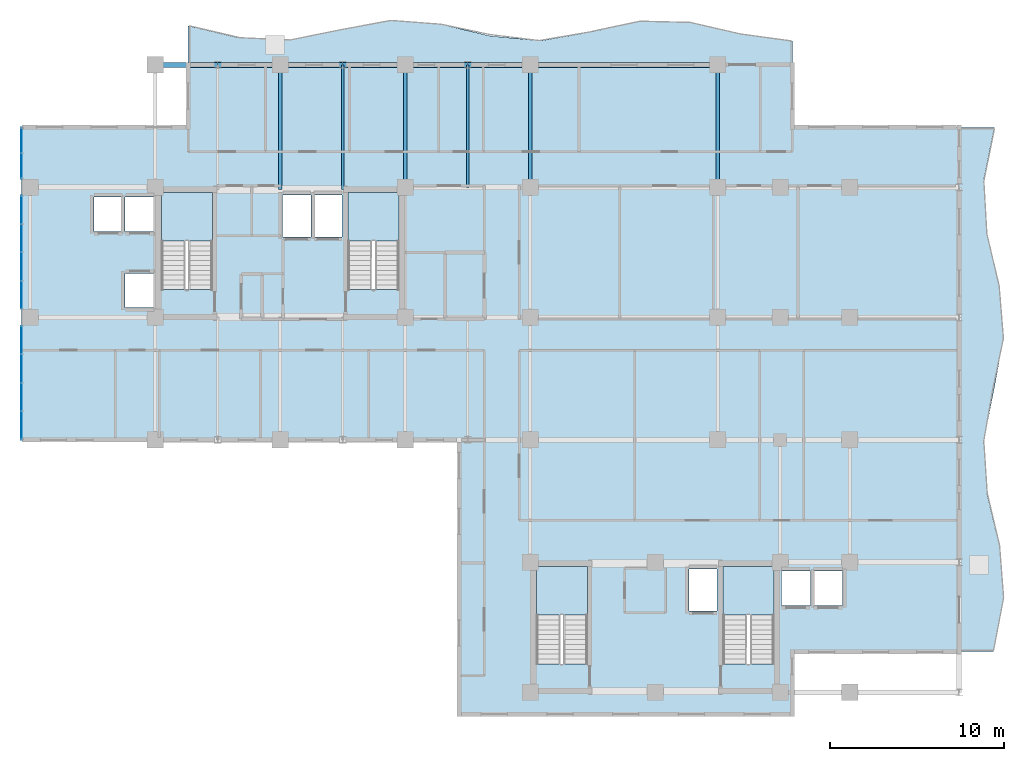
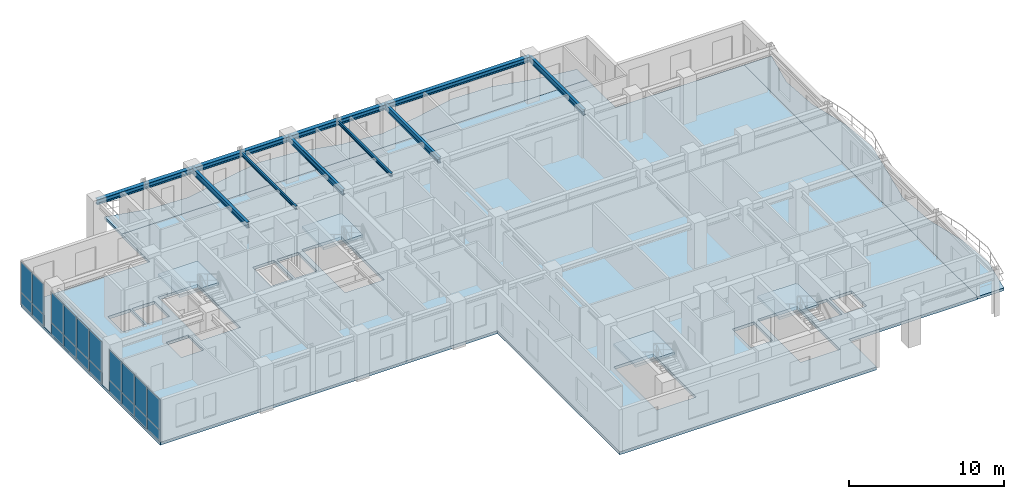
# One storey, part 11 of 20: 20 plates, 13 beams, 7 slabs, 7 elements without a shape of their own.
"""IFC4 building model written with IfcOpenShell, lengths in metres."""

from ifc_helpers import new_model, si_unit, direction, frame, origin, origin_2d, place, context, subcontext, project, spatial, polyline, rectangle, i_section, outline, extrude, source, transform, mapped, material, layer, layer_set, material_profile, profile_set, type_object, element, aggregate, save


model = new_model("IFC4")

# Units and contexts
model_context = context("Model", 3, precision=1e-05, world=origin(), true_north=direction((0.0, 1.0)))
body_context = subcontext(model_context, "Body", "Model", "MODEL_VIEW")
ifc_project = project(units=[si_unit("LENGTHUNIT", "METRE"), si_unit("AREAUNIT", "SQUARE_METRE"), si_unit("VOLUMEUNIT", "CUBIC_METRE"), si_unit("PLANEANGLEUNIT", "RADIAN"), si_unit("MASSUNIT", "GRAM", prefix="KILO")], contexts=[model_context])

# Site, building, storey
site_placement = place(None, origin())
site = spatial("IfcSite", under=ifc_project, at=site_placement, CompositionType="ELEMENT")
building_placement = place(site_placement, origin())
building = spatial("IfcBuilding", under=site, at=building_placement, Name="Kaliganga Portal Commons", CompositionType="ELEMENT")
storey_placement = place(building_placement, frame((0.0, 0.0, 231.39990234375)))
storey = spatial("IfcBuildingStorey", under=building, at=storey_placement, Name="L59", CompositionType="ELEMENT", Elevation=231.39990234375)

# Beams
ifc_material_1 = material(Name="Structural steel S355J2", Category="steel")
ifc_material_profile_1 = material_profile(ifc_material_1, i_section(OverallWidth=0.18994140625, OverallDepth=0.449951171875, WebThickness=0.009521484375, FlangeThickness=0.0146484375, FilletRadius=0.02099609375, at=origin_2d()), Name="IPE 450")
ifc_profile_set_1 = profile_set([ifc_material_profile_1], Name="Structural steel S355J2 wide-flange")
beam_type_1 = type_object("IfcBeamType", Name="BM-FLR-450", PredefinedType="BEAM", material=ifc_profile_set_1)
shared_shape_1 = source(origin(), body_context, "Body", "SweptSolid", [
    extrude(i_section(OverallWidth=0.18994140625, OverallDepth=0.449951171875, WebThickness=0.009521484375, FlangeThickness=0.0146484375, FilletRadius=0.02099609375, at=origin_2d()), origin(), (0.0, 0.0, 1.0), 7.050048828125),
])
for number, where, z_axis, x_axis, name in (
    (1, (28.800048828125, 36.14990234375, 3.215087890625), (0.0, 1.0, 0.0), (-1.0, 0.0, 0.0), "BM G L59 AN288"),
    (2, (36.0, 36.14990234375, 3.215087890625), (0.0, 1.0, 0.0), (-1.0, 0.0, 0.0), "BM G L59 AN360"),
    (3, (46.800048828125, 36.14990234375, 3.215087890625), (0.0, 1.0, 0.0), (-1.0, 0.0, 0.0), "BM G L59 AN468"),
):
    element("IfcBeam", number, at=place(storey_placement, frame(where, z_axis=z_axis, x_axis=x_axis)), inside=storey, type_object=beam_type_1, Name=name, PredefinedType="BEAM", context=body_context, shape_type="MappedRepresentation", body=[
        mapped(shared_shape_1, transform((0.0, 0.0, 0.0), x_axis=(1.0, 0.0, 0.0), y_axis=(0.0, 1.0, 0.0), z_axis=(0.0, 0.0, 1.0), scale=1.0)),
    ])
ifc_material_profile_2 = material_profile(ifc_material_1, i_section(OverallWidth=0.300048828125, OverallDepth=0.39990234375, WebThickness=0.013427734375, FlangeThickness=0.02392578125, FilletRadius=0.027099609375, at=origin_2d()), Name="HE 400 B")
ifc_profile_set_2 = profile_set([ifc_material_profile_2], Name="Structural steel S355J2 wide-flange")
beam_type_2 = type_object("IfcBeamType", Name="BM-SPAND-400", PredefinedType="SPANDREL", material=ifc_profile_set_2)
shared_shape_2 = source(origin(), body_context, "Body", "SweptSolid", [
    extrude(i_section(OverallWidth=0.300048828125, OverallDepth=0.39990234375, WebThickness=0.013427734375, FlangeThickness=0.02392578125, FilletRadius=0.027099609375, at=origin_2d()), origin(), (0.0, 0.0, 1.0), 3.60009765625),
])
for number, where, z_axis, x_axis, name in (
    (4, (14.39990234375, 43.199951171875, 3.239990234375), (1.0, 0.0, 0.0), (0.0, 1.0, 0.0), "BM SP L59 AN 1"),
    (5, (18.0, 43.199951171875, 3.239990234375), (1.0, 0.0, 0.0), (0.0, 1.0, 0.0), "BM SP L59 AN 2"),
    (6, (25.199951171875, 43.199951171875, 3.239990234375), (1.0, 0.0, 0.0), (0.0, 1.0, 0.0), "BM SP L59 AN 4"),
    (7, (32.39990234375, 43.199951171875, 3.239990234375), (1.0, 0.0, 0.0), (0.0, 1.0, 0.0), "BM SP L59 AN 6"),
):
    element("IfcBeam", number, at=place(storey_placement, frame(where, z_axis=z_axis, x_axis=x_axis)), inside=storey, type_object=beam_type_2, Name=name, PredefinedType="SPANDREL", context=body_context, shape_type="MappedRepresentation", body=[
        mapped(shared_shape_2, transform((0.0, 0.0, 0.0), x_axis=(1.0, 0.0, 0.0), y_axis=(0.0, 1.0, 0.0), z_axis=(0.0, 0.0, 1.0), scale=1.0)),
    ])
shared_shape_3 = source(origin(), body_context, "Body", "SweptSolid", [
    extrude(i_section(OverallWidth=0.300048828125, OverallDepth=0.39990234375, WebThickness=0.013427734375, FlangeThickness=0.02392578125, FilletRadius=0.027099609375, at=origin_2d()), origin(), (0.0, 0.0, 1.0), 3.599853515625),
])
for number, where, z_axis, x_axis, name in (
    (8, (21.60009765625, 43.199951171875, 3.239990234375), (1.0, 0.0, 0.0), (0.0, 1.0, 0.0), "BM SP L59 AN 3"),
    (9, (28.800048828125, 43.199951171875, 3.239990234375), (1.0, 0.0, 0.0), (0.0, 1.0, 0.0), "BM SP L59 AN 5"),
):
    element("IfcBeam", number, at=place(storey_placement, frame(where, z_axis=z_axis, x_axis=x_axis)), inside=storey, type_object=beam_type_2, Name=name, PredefinedType="SPANDREL", context=body_context, shape_type="MappedRepresentation", body=[
        mapped(shared_shape_3, transform((0.0, 0.0, 0.0), x_axis=(1.0, 0.0, 0.0), y_axis=(0.0, 1.0, 0.0), z_axis=(0.0, 0.0, 1.0), scale=1.0)),
    ])
shared_shape_4 = source(origin(), body_context, "Body", "SweptSolid", [
    extrude(i_section(OverallWidth=0.300048828125, OverallDepth=0.39990234375, WebThickness=0.013427734375, FlangeThickness=0.02392578125, FilletRadius=0.027099609375, at=origin_2d()), origin(), (0.0, 0.0, 1.0), 10.800048828125),
])
beam_1_placement = place(storey_placement, frame((36.0, 43.199951171875, 3.239990234375), z_axis=(1.0, 0.0, 0.0), x_axis=(0.0, 1.0, 0.0)))
element("IfcBeam", 10, at=beam_1_placement, inside=storey, type_object=beam_type_2, Name="BM SP L59 AN 7", PredefinedType="SPANDREL", context=body_context, shape_type="MappedRepresentation", body=[
    mapped(shared_shape_4, transform((0.0, 0.0, 0.0), x_axis=(1.0, 0.0, 0.0), y_axis=(0.0, 1.0, 0.0), z_axis=(0.0, 0.0, 1.0), scale=1.0)),
])
shared_shape_5 = source(origin(), body_context, "Body", "SweptSolid", [
    extrude(i_section(OverallWidth=0.18994140625, OverallDepth=0.449951171875, WebThickness=0.009521484375, FlangeThickness=0.0146484375, FilletRadius=0.02099609375, at=origin_2d()), origin(), (0.0, 0.0, 1.0), 7.175048828125),
])
beam_2_placement = place(storey_placement, frame((21.60009765625, 36.02490234375, 3.215087890625), z_axis=(0.0, 1.0, 0.0), x_axis=(-1.0, 0.0, 0.0)))
element("IfcBeam", 11, at=beam_2_placement, inside=storey, type_object=beam_type_1, Name="BM G L59 AN216", PredefinedType="BEAM", context=body_context, shape_type="MappedRepresentation", body=[
    mapped(shared_shape_5, transform((0.0, 0.0, 0.0), x_axis=(1.0, 0.0, 0.0), y_axis=(0.0, 1.0, 0.0), z_axis=(0.0, 0.0, 1.0), scale=1.0)),
])
ifc_material_profile_3 = material_profile(ifc_material_1, i_section(OverallWidth=0.135009765625, OverallDepth=0.27001953125, WebThickness=0.006591796875, FlangeThickness=0.01025390625, FilletRadius=0.014892578125, at=origin_2d()), Name="IPE 270")
ifc_profile_set_3 = profile_set([ifc_material_profile_3], Name="Structural steel S355J2 wide-flange")
beam_type_3 = type_object("IfcBeamType", Name="BM-JST-270", PredefinedType="JOIST", material=ifc_profile_set_3)
shared_shape_6 = source(origin(), body_context, "Body", "SweptSolid", [
    extrude(i_section(OverallWidth=0.135009765625, OverallDepth=0.27001953125, WebThickness=0.006591796875, FlangeThickness=0.01025390625, FilletRadius=0.014892578125, at=origin_2d()), origin(), (0.0, 0.0, 1.0), 7.175048828125),
])
beam_3_placement = place(storey_placement, frame((25.199951171875, 36.02490234375, 3.30517578125), z_axis=(0.0, 1.0, 0.0), x_axis=(-1.0, 0.0, 0.0)))
element("IfcBeam", 12, at=beam_3_placement, inside=storey, type_object=beam_type_3, Name="BM G L59 AN252", PredefinedType="JOIST", context=body_context, shape_type="MappedRepresentation", body=[
    mapped(shared_shape_6, transform((0.0, 0.0, 0.0), x_axis=(1.0, 0.0, 0.0), y_axis=(0.0, 1.0, 0.0), z_axis=(0.0, 0.0, 1.0), scale=1.0)),
])
shared_shape_7 = source(origin(), body_context, "Body", "SweptSolid", [
    extrude(i_section(OverallWidth=0.135009765625, OverallDepth=0.27001953125, WebThickness=0.006591796875, FlangeThickness=0.01025390625, FilletRadius=0.014892578125, at=origin_2d()), origin(), (0.0, 0.0, 1.0), 7.050048828125),
])
beam_4_placement = place(storey_placement, frame((32.39990234375, 36.14990234375, 3.30517578125), z_axis=(0.0, 1.0, 0.0), x_axis=(-1.0, 0.0, 0.0)))
element("IfcBeam", 13, at=beam_4_placement, inside=storey, type_object=beam_type_3, Name="BM G L59 AN324", PredefinedType="JOIST", context=body_context, shape_type="MappedRepresentation", body=[
    mapped(shared_shape_7, transform((0.0, 0.0, 0.0), x_axis=(1.0, 0.0, 0.0), y_axis=(0.0, 1.0, 0.0), z_axis=(0.0, 0.0, 1.0), scale=1.0)),
])

# Slabs
ifc_material_2 = material(Name="Concrete C40/50", Category="concrete")
ifc_layer_1 = layer(ifc_material_2, 0.2099609375)
ifc_layer_set_1 = layer_set([ifc_layer_1], Name="Concrete C40/50")
slab_type_1 = type_object("IfcSlabType", Name="SLB-BALC-210", PredefinedType="FLOOR", material=ifc_layer_set_1)
slab_1_placement = place(storey_placement, frame((0.0, 0.0, -0.2099609375)))
element("IfcSlab", 14, at=slab_1_placement, inside=storey, type_object=slab_type_1, Name="Scalloped Tree-Planter Balcony Slab L59 balc_north", PredefinedType="FLOOR", context=body_context, shape_type="SweptSolid", body=[
    extrude(outline(polyline([(51.10009765625, 43.199951171875), (51.10009765625, 44.58203125), (48.199951171875, 44.978759765625), (45.300048828125, 45.652099609375), (42.39990234375, 45.724609375), (39.5, 45.10205078125), (36.60009765625, 44.59521484375), (33.699951171875, 44.86474609375), (30.800048828125, 45.55908203125), (27.89990234375, 45.77392578125), (25.0, 45.229248046875), (22.10009765625, 44.634765625), (19.199951171875, 44.764892578125), (16.300048828125, 45.4501953125), (16.300048828125, 43.199951171875), (51.10009765625, 43.199951171875)])), origin(), (0.0, 0.0, 1.0), 0.2099609375),
])
slab_2_placement = place(storey_placement, frame((0.0, 0.0, -0.2099609375)))
element("IfcSlab", 15, at=slab_2_placement, inside=storey, type_object=slab_type_1, Name="Scalloped Tree-Planter Balcony Slab L59 balc_east", PredefinedType="FLOOR", context=body_context, shape_type="SweptSolid", body=[
    extrude(outline(polyline([(60.699951171875, 9.39990234375), (62.69091796875, 9.39990234375), (63.271728515625, 12.419921875), (63.040771484375, 15.43994140625), (62.32080078125, 18.4599609375), (62.118408203125, 21.47998046875), (62.716552734375, 24.5), (63.27880859375, 27.52001953125), (63.01953125, 30.5400390625), (62.30078125, 33.56005859375), (62.127685546875, 36.580078125), (62.741943359375, 39.60009765625), (60.699951171875, 39.60009765625), (60.699951171875, 9.39990234375)])), origin(), (0.0, 0.0, 1.0), 0.2099609375),
])

# Stair, slab
stair_type = type_object("IfcStairType", Name="ST-CORE-DOGLEG", PredefinedType="HALF_TURN_STAIR", material=ifc_material_2)
stair_1_placement = place(storey_placement, origin())
stair_1 = element("IfcStair", 16, at=stair_1_placement, inside=storey, type_object=stair_type, Name="L59 Protected Exit Stair ST-A1", PredefinedType="HALF_TURN_STAIR")
ifc_layer_2 = layer(ifc_material_2, 0.199951171875)
ifc_layer_set_2 = layer_set([ifc_layer_2], Name="Concrete C40/50")
slab_type_2 = type_object("IfcSlabType", Name="SLB-STAIR-LND", PredefinedType="LANDING", material=ifc_layer_set_2)
slab_3_placement = place(storey_placement, frame((0.0, 0.0, 1.650146484375)))
slab_3 = element("IfcSlab", 17, at=slab_3_placement, type_object=slab_type_2, Name="ST-A1 landing 1", PredefinedType="LANDING", context=body_context, shape_type="SweptSolid", body=[
    extrude(outline(polyline([(17.699951171875, 33.050048828125), (17.699951171875, 35.85009765625), (14.75, 35.85009765625), (14.75, 33.050048828125), (17.699951171875, 33.050048828125)])), origin(), (0.0, 0.0, 1.0), 0.199951171875),
])
aggregate(stair_1, [slab_3])

stair_2_placement = place(storey_placement, origin())
stair_2 = element("IfcStair", 18, at=stair_2_placement, inside=storey, type_object=stair_type, Name="L59 Protected Exit Stair ST-A2", PredefinedType="HALF_TURN_STAIR")
slab_4_placement = place(storey_placement, frame((0.0, 0.0, 1.650146484375)))
slab_4 = element("IfcSlab", 19, at=slab_4_placement, type_object=slab_type_2, Name="ST-A2 landing 1", PredefinedType="LANDING", context=body_context, shape_type="SweptSolid", body=[
    extrude(outline(polyline([(28.449951171875, 33.050048828125), (28.449951171875, 35.85009765625), (25.5, 35.85009765625), (25.5, 33.050048828125), (28.449951171875, 33.050048828125)])), origin(), (0.0, 0.0, 1.0), 0.199951171875),
])
aggregate(stair_2, [slab_4])

stair_3_placement = place(storey_placement, origin())
stair_3 = element("IfcStair", 20, at=stair_3_placement, inside=storey, type_object=stair_type, Name="L59 Protected Exit Stair ST-B1", PredefinedType="HALF_TURN_STAIR")
slab_5_placement = place(storey_placement, frame((0.0, 0.0, 1.650146484375)))
slab_5 = element("IfcSlab", 21, at=slab_5_placement, type_object=slab_type_2, Name="ST-B1 landing 1", PredefinedType="LANDING", context=body_context, shape_type="SweptSolid", body=[
    extrude(outline(polyline([(39.300048828125, 11.5), (39.300048828125, 14.300048828125), (36.35009765625, 14.300048828125), (36.35009765625, 11.5), (39.300048828125, 11.5)])), origin(), (0.0, 0.0, 1.0), 0.199951171875),
])
aggregate(stair_3, [slab_5])

stair_4_placement = place(storey_placement, origin())
stair_4 = element("IfcStair", 22, at=stair_4_placement, inside=storey, type_object=stair_type, Name="L59 Protected Exit Stair ST-B2", PredefinedType="HALF_TURN_STAIR")
slab_6_placement = place(storey_placement, frame((0.0, 0.0, 1.650146484375)))
slab_6 = element("IfcSlab", 23, at=slab_6_placement, type_object=slab_type_2, Name="ST-B2 landing 1", PredefinedType="LANDING", context=body_context, shape_type="SweptSolid", body=[
    extrude(outline(polyline([(50.050048828125, 11.5), (50.050048828125, 14.300048828125), (47.10009765625, 14.300048828125), (47.10009765625, 11.5), (50.050048828125, 11.5)])), origin(), (0.0, 0.0, 1.0), 0.199951171875),
])
aggregate(stair_4, [slab_6])

# Slab
ifc_layer_3 = layer(ifc_material_2, 0.22998046875)
ifc_layer_set_3 = layer_set([ifc_layer_3], Name="Concrete C40/50")
slab_type_3 = type_object("IfcSlabType", Name="SLB-TWR-230", PredefinedType="FLOOR", material=ifc_layer_set_3)
slab_7_placement = place(storey_placement, frame((0.0, 0.0, -0.22998046875)))
element("IfcSlab", 24, at=slab_7_placement, inside=storey, type_object=slab_type_3, Name="Structural Floor Slab L59", PredefinedType="FLOOR", context=body_context, shape_type="SweptSolid", body=[
    extrude(outline(polyline([(31.89990234375, 5.800048828125), (51.10009765625, 5.800048828125), (51.10009765625, 9.39990234375), (60.699951171875, 9.39990234375), (60.699951171875, 39.60009765625), (51.10009765625, 39.60009765625), (51.10009765625, 43.199951171875), (16.300048828125, 43.199951171875), (16.300048828125, 39.60009765625), (6.699951171875, 39.60009765625), (6.699951171875, 21.60009765625), (31.89990234375, 21.60009765625), (31.89990234375, 5.800048828125)]), holes=[polyline([(14.75, 30.25390625), (14.75, 35.85009765625), (17.699951171875, 35.85009765625), (17.699951171875, 30.25390625), (14.75, 30.25390625)]), polyline([(25.5, 30.25390625), (25.5, 35.85009765625), (28.449951171875, 35.85009765625), (28.449951171875, 30.25390625), (25.5, 30.25390625)]), polyline([(36.35009765625, 8.7041015625), (36.35009765625, 14.300048828125), (39.300048828125, 14.300048828125), (39.300048828125, 8.7041015625), (36.35009765625, 8.7041015625)]), polyline([(47.10009765625, 8.7041015625), (47.10009765625, 14.300048828125), (50.050048828125, 14.300048828125), (50.050048828125, 8.7041015625), (47.10009765625, 8.7041015625)]), polyline([(12.6650390625, 33.614990234375), (12.6650390625, 35.5849609375), (14.3349609375, 35.5849609375), (14.3349609375, 33.614990234375), (12.6650390625, 33.614990234375)]), polyline([(12.6650390625, 29.215087890625), (12.6650390625, 31.18505859375), (14.3349609375, 31.18505859375), (14.3349609375, 29.215087890625), (12.6650390625, 29.215087890625)]), polyline([(10.864990234375, 33.614990234375), (10.864990234375, 35.5849609375), (12.534912109375, 35.5849609375), (12.534912109375, 33.614990234375), (10.864990234375, 33.614990234375)]), polyline([(21.739990234375, 33.2900390625), (21.739990234375, 35.7099609375), (23.360107421875, 35.7099609375), (23.360107421875, 33.2900390625), (21.739990234375, 33.2900390625)]), polyline([(23.5400390625, 33.2900390625), (23.5400390625, 35.7099609375), (25.159912109375, 35.7099609375), (25.159912109375, 33.2900390625), (23.5400390625, 33.2900390625)]), polyline([(50.465087890625, 12.06494140625), (50.465087890625, 14.034912109375), (52.135009765625, 14.034912109375), (52.135009765625, 12.06494140625), (50.465087890625, 12.06494140625)]), polyline([(52.31494140625, 12.06494140625), (52.31494140625, 14.034912109375), (53.985107421875, 14.034912109375), (53.985107421875, 12.06494140625), (52.31494140625, 12.06494140625)]), polyline([(45.139892578125, 11.739990234375), (45.139892578125, 14.159912109375), (46.760009765625, 14.159912109375), (46.760009765625, 11.739990234375), (45.139892578125, 11.739990234375)])]), origin(), (0.0, 0.0, 1.0), 0.22998046875),
])

# Curtain wall, plates
ifc_material_3 = material(Name="Anodized Aluminium and Laminated Low-E Glass", Category="aluminium")
ifc_layer_4 = layer(ifc_material_3, 0.199951171875)
ifc_layer_set_4 = layer_set([ifc_layer_4], Name="Anodized Aluminium and Laminated Low-E Glass")
curtain_wall_type = type_object("IfcCurtainWallType", Name="CW-SYS-02", PredefinedType="NOTDEFINED", material=ifc_layer_set_4)
curtain_wall_1_placement = place(storey_placement, origin())
curtain_wall_1 = element("IfcCurtainWall", 25, at=curtain_wall_1_placement, inside=storey, type_object=curtain_wall_type, Name="CW 02 L59 P1E09S3", PredefinedType="NOTDEFINED")
ifc_material_4 = material(Name="Insulated Dark Spandrel Panel", Category="metal")
ifc_layer_5 = layer(ifc_material_4, 0.044921875)
ifc_layer_set_5 = layer_set([ifc_layer_5], Name="Insulated Dark Spandrel Panel")
plate_type_1 = type_object("IfcPlateType", Name="PLT-SPN-45", PredefinedType="SHEET", material=ifc_layer_set_5)
shared_shape_8 = source(origin(), body_context, "Body", "SweptSolid", [
    extrude(rectangle(XDim=1.603515625, YDim=0.044921875, at=origin_2d()), origin(), (0.0, 0.0, 1.0), 0.929931640625),
])
plate_1_placement = place(storey_placement, frame((6.699951171875, 27.352294921875, 0.01025390625), z_axis=(0.0, 0.0, 1.0), x_axis=(0.0, -1.0, 0.0)))
plate_1 = element("IfcPlate", 26, at=plate_1_placement, type_object=plate_type_1, Name="CW:02:L59:P1E09S3 Spandrel 00", PredefinedType="SHEET", context=body_context, shape_type="MappedRepresentation", body=[
    mapped(shared_shape_8, transform((0.0, 0.0, 0.0), x_axis=(1.0, 0.0, 0.0), y_axis=(0.0, 1.0, 0.0), z_axis=(0.0, 0.0, 1.0), scale=1.0)),
])
plate_2_placement = place(storey_placement, frame((6.699951171875, 25.708740234375, 0.01025390625), z_axis=(0.0, 0.0, 1.0), x_axis=(0.0, -1.0, 0.0)))
plate_2 = element("IfcPlate", 27, at=plate_2_placement, type_object=plate_type_1, Name="CW:02:L59:P1E09S3 Spandrel 01", PredefinedType="SHEET", context=body_context, shape_type="MappedRepresentation", body=[
    mapped(shared_shape_8, transform((0.0, 0.0, 0.0), x_axis=(1.0, 0.0, 0.0), y_axis=(0.0, 1.0, 0.0), z_axis=(0.0, 0.0, 1.0), scale=1.0)),
])
plate_3_placement = place(storey_placement, frame((6.699951171875, 24.065185546875, 0.01025390625), z_axis=(0.0, 0.0, 1.0), x_axis=(0.0, -1.0, 0.0)))
plate_3 = element("IfcPlate", 28, at=plate_3_placement, type_object=plate_type_1, Name="CW:02:L59:P1E09S3 Spandrel 02", PredefinedType="SHEET", context=body_context, shape_type="MappedRepresentation", body=[
    mapped(shared_shape_8, transform((0.0, 0.0, 0.0), x_axis=(1.0, 0.0, 0.0), y_axis=(0.0, 1.0, 0.0), z_axis=(0.0, 0.0, 1.0), scale=1.0)),
])
plate_4_placement = place(storey_placement, frame((6.699951171875, 22.421875, 0.01025390625), z_axis=(0.0, 0.0, 1.0), x_axis=(0.0, -1.0, 0.0)))
plate_4 = element("IfcPlate", 29, at=plate_4_placement, type_object=plate_type_1, Name="CW:02:L59:P1E09S3 Spandrel 03", PredefinedType="SHEET", context=body_context, shape_type="MappedRepresentation", body=[
    mapped(shared_shape_8, transform((0.0, 0.0, 0.0), x_axis=(1.0, 0.0, 0.0), y_axis=(0.0, 1.0, 0.0), z_axis=(0.0, 0.0, 1.0), scale=1.0)),
])

curtain_wall_2_placement = place(storey_placement, origin())
curtain_wall_2 = element("IfcCurtainWall", 30, at=curtain_wall_2_placement, inside=storey, type_object=curtain_wall_type, Name="CW 02 L59 P1E09S2", PredefinedType="NOTDEFINED")
shared_shape_9 = source(origin(), body_context, "Body", "SweptSolid", [
    extrude(rectangle(XDim=1.596923828125, YDim=0.044921875, at=origin_2d()), origin(), (0.0, 0.0, 1.0), 0.929931640625),
])
plate_5_placement = place(storey_placement, frame((6.699951171875, 34.85546875, 0.01025390625), z_axis=(0.0, 0.0, 1.0), x_axis=(0.0, -1.0, 0.0)))
plate_5 = element("IfcPlate", 31, at=plate_5_placement, type_object=plate_type_1, Name="CW:02:L59:P1E09S2 Spandrel 00", PredefinedType="SHEET", context=body_context, shape_type="MappedRepresentation", body=[
    mapped(shared_shape_9, transform((0.0, 0.0, 0.0), x_axis=(1.0, 0.0, 0.0), y_axis=(0.0, 1.0, 0.0), z_axis=(0.0, 0.0, 1.0), scale=1.0)),
])
plate_6_placement = place(storey_placement, frame((6.699951171875, 33.218505859375, 0.01025390625), z_axis=(0.0, 0.0, 1.0), x_axis=(0.0, -1.0, 0.0)))
plate_6 = element("IfcPlate", 32, at=plate_6_placement, type_object=plate_type_1, Name="CW:02:L59:P1E09S2 Spandrel 01", PredefinedType="SHEET", context=body_context, shape_type="MappedRepresentation", body=[
    mapped(shared_shape_9, transform((0.0, 0.0, 0.0), x_axis=(1.0, 0.0, 0.0), y_axis=(0.0, 1.0, 0.0), z_axis=(0.0, 0.0, 1.0), scale=1.0)),
])
plate_7_placement = place(storey_placement, frame((6.699951171875, 31.58154296875, 0.01025390625), z_axis=(0.0, 0.0, 1.0), x_axis=(0.0, -1.0, 0.0)))
plate_7 = element("IfcPlate", 33, at=plate_7_placement, type_object=plate_type_1, Name="CW:02:L59:P1E09S2 Spandrel 02", PredefinedType="SHEET", context=body_context, shape_type="MappedRepresentation", body=[
    mapped(shared_shape_9, transform((0.0, 0.0, 0.0), x_axis=(1.0, 0.0, 0.0), y_axis=(0.0, 1.0, 0.0), z_axis=(0.0, 0.0, 1.0), scale=1.0)),
])
plate_8_placement = place(storey_placement, frame((6.699951171875, 29.944580078125, 0.01025390625), z_axis=(0.0, 0.0, 1.0), x_axis=(0.0, -1.0, 0.0)))
plate_8 = element("IfcPlate", 34, at=plate_8_placement, type_object=plate_type_1, Name="CW:02:L59:P1E09S2 Spandrel 03", PredefinedType="SHEET", context=body_context, shape_type="MappedRepresentation", body=[
    mapped(shared_shape_9, transform((0.0, 0.0, 0.0), x_axis=(1.0, 0.0, 0.0), y_axis=(0.0, 1.0, 0.0), z_axis=(0.0, 0.0, 1.0), scale=1.0)),
])

curtain_wall_3_placement = place(storey_placement, origin())
curtain_wall_3 = element("IfcCurtainWall", 35, at=curtain_wall_3_placement, inside=storey, type_object=curtain_wall_type, Name="CW 02 L59 P1E09S1", PredefinedType="NOTDEFINED")
shared_shape_10 = source(origin(), body_context, "Body", "SweptSolid", [
    extrude(rectangle(XDim=1.447021484375, YDim=0.044921875, at=origin_2d()), origin(), (0.0, 0.0, 1.0), 0.929931640625),
])
plate_9_placement = place(storey_placement, frame((6.699951171875, 38.8564453125, 0.01025390625), z_axis=(0.0, 0.0, 1.0), x_axis=(0.0, -1.0, 0.0)))
plate_9 = element("IfcPlate", 36, at=plate_9_placement, type_object=plate_type_1, Name="CW:02:L59:P1E09S1 Spandrel 00", PredefinedType="SHEET", context=body_context, shape_type="MappedRepresentation", body=[
    mapped(shared_shape_10, transform((0.0, 0.0, 0.0), x_axis=(1.0, 0.0, 0.0), y_axis=(0.0, 1.0, 0.0), z_axis=(0.0, 0.0, 1.0), scale=1.0)),
])
plate_10_placement = place(storey_placement, frame((6.699951171875, 37.369384765625, 0.01025390625), z_axis=(0.0, 0.0, 1.0), x_axis=(0.0, -1.0, 0.0)))
plate_10 = element("IfcPlate", 37, at=plate_10_placement, type_object=plate_type_1, Name="CW:02:L59:P1E09S1 Spandrel 01", PredefinedType="SHEET", context=body_context, shape_type="MappedRepresentation", body=[
    mapped(shared_shape_10, transform((0.0, 0.0, 0.0), x_axis=(1.0, 0.0, 0.0), y_axis=(0.0, 1.0, 0.0), z_axis=(0.0, 0.0, 1.0), scale=1.0)),
])
ifc_material_5 = material(Name="Dark Solar-Control Laminated Low-E IGU", Category="glass")
ifc_layer_6 = layer(ifc_material_5, 0.028076171875)
ifc_layer_set_6 = layer_set([ifc_layer_6], Name="Dark Solar-Control Laminated Low-E IGU")
plate_type_2 = type_object("IfcPlateType", Name="PLT-GLZ-28", PredefinedType="CURTAIN_PANEL", material=ifc_layer_set_6)
shared_shape_11 = source(origin(), body_context, "Body", "SweptSolid", [
    extrude(rectangle(XDim=1.447021484375, YDim=0.028076171875, at=origin_2d()), origin(), (0.0, 0.0, 1.0), 2.389892578125),
])
plate_11_placement = place(storey_placement, frame((6.699951171875, 38.8564453125, 0.9599609375), z_axis=(0.0, 0.0, 1.0), x_axis=(0.0, -1.0, 0.0)))
plate_11 = element("IfcPlate", 38, at=plate_11_placement, type_object=plate_type_2, Name="CW:02:L59:P1E09S1 Vision IGU 00", PredefinedType="CURTAIN_PANEL", context=body_context, shape_type="MappedRepresentation", body=[
    mapped(shared_shape_11, transform((0.0, 0.0, 0.0), x_axis=(1.0, 0.0, 0.0), y_axis=(0.0, 1.0, 0.0), z_axis=(0.0, 0.0, 1.0), scale=1.0)),
])
plate_12_placement = place(storey_placement, frame((6.699951171875, 37.369384765625, 0.9599609375), z_axis=(0.0, 0.0, 1.0), x_axis=(0.0, -1.0, 0.0)))
plate_12 = element("IfcPlate", 39, at=plate_12_placement, type_object=plate_type_2, Name="CW:02:L59:P1E09S1 Vision IGU 01", PredefinedType="CURTAIN_PANEL", context=body_context, shape_type="MappedRepresentation", body=[
    mapped(shared_shape_11, transform((0.0, 0.0, 0.0), x_axis=(1.0, 0.0, 0.0), y_axis=(0.0, 1.0, 0.0), z_axis=(0.0, 0.0, 1.0), scale=1.0)),
])
aggregate(curtain_wall_3, [plate_9, plate_11, plate_10, plate_12])

# Plate
shared_shape_12 = source(origin(), body_context, "Body", "SweptSolid", [
    extrude(rectangle(XDim=1.596923828125, YDim=0.028076171875, at=origin_2d()), origin(), (0.0, 0.0, 1.0), 2.389892578125),
])
plate_13_placement = place(storey_placement, frame((6.699951171875, 34.85546875, 0.9599609375), z_axis=(0.0, 0.0, 1.0), x_axis=(0.0, -1.0, 0.0)))
plate_13 = element("IfcPlate", 40, at=plate_13_placement, type_object=plate_type_2, Name="CW:02:L59:P1E09S2 Vision IGU 00", PredefinedType="CURTAIN_PANEL", context=body_context, shape_type="MappedRepresentation", body=[
    mapped(shared_shape_12, transform((0.0, 0.0, 0.0), x_axis=(1.0, 0.0, 0.0), y_axis=(0.0, 1.0, 0.0), z_axis=(0.0, 0.0, 1.0), scale=1.0)),
])

plate_14_placement = place(storey_placement, frame((6.699951171875, 33.218505859375, 0.9599609375), z_axis=(0.0, 0.0, 1.0), x_axis=(0.0, -1.0, 0.0)))
plate_14 = element("IfcPlate", 41, at=plate_14_placement, type_object=plate_type_2, Name="CW:02:L59:P1E09S2 Vision IGU 01", PredefinedType="CURTAIN_PANEL", context=body_context, shape_type="MappedRepresentation", body=[
    mapped(shared_shape_12, transform((0.0, 0.0, 0.0), x_axis=(1.0, 0.0, 0.0), y_axis=(0.0, 1.0, 0.0), z_axis=(0.0, 0.0, 1.0), scale=1.0)),
])

plate_15_placement = place(storey_placement, frame((6.699951171875, 31.58154296875, 0.9599609375), z_axis=(0.0, 0.0, 1.0), x_axis=(0.0, -1.0, 0.0)))
plate_15 = element("IfcPlate", 42, at=plate_15_placement, type_object=plate_type_2, Name="CW:02:L59:P1E09S2 Vision IGU 02", PredefinedType="CURTAIN_PANEL", context=body_context, shape_type="MappedRepresentation", body=[
    mapped(shared_shape_12, transform((0.0, 0.0, 0.0), x_axis=(1.0, 0.0, 0.0), y_axis=(0.0, 1.0, 0.0), z_axis=(0.0, 0.0, 1.0), scale=1.0)),
])

plate_16_placement = place(storey_placement, frame((6.699951171875, 29.944580078125, 0.9599609375), z_axis=(0.0, 0.0, 1.0), x_axis=(0.0, -1.0, 0.0)))
plate_16 = element("IfcPlate", 43, at=plate_16_placement, type_object=plate_type_2, Name="CW:02:L59:P1E09S2 Vision IGU 03", PredefinedType="CURTAIN_PANEL", context=body_context, shape_type="MappedRepresentation", body=[
    mapped(shared_shape_12, transform((0.0, 0.0, 0.0), x_axis=(1.0, 0.0, 0.0), y_axis=(0.0, 1.0, 0.0), z_axis=(0.0, 0.0, 1.0), scale=1.0)),
])

aggregate(curtain_wall_2, [plate_5, plate_13, plate_6, plate_14, plate_7, plate_15, plate_8, plate_16])

shared_shape_13 = source(origin(), body_context, "Body", "SweptSolid", [
    extrude(rectangle(XDim=1.603515625, YDim=0.028076171875, at=origin_2d()), origin(), (0.0, 0.0, 1.0), 2.389892578125),
])
plate_17_placement = place(storey_placement, frame((6.699951171875, 27.352294921875, 0.9599609375), z_axis=(0.0, 0.0, 1.0), x_axis=(0.0, -1.0, 0.0)))
plate_17 = element("IfcPlate", 44, at=plate_17_placement, type_object=plate_type_2, Name="CW:02:L59:P1E09S3 Vision IGU 00", PredefinedType="CURTAIN_PANEL", context=body_context, shape_type="MappedRepresentation", body=[
    mapped(shared_shape_13, transform((0.0, 0.0, 0.0), x_axis=(1.0, 0.0, 0.0), y_axis=(0.0, 1.0, 0.0), z_axis=(0.0, 0.0, 1.0), scale=1.0)),
])

plate_18_placement = place(storey_placement, frame((6.699951171875, 25.708740234375, 0.9599609375), z_axis=(0.0, 0.0, 1.0), x_axis=(0.0, -1.0, 0.0)))
plate_18 = element("IfcPlate", 45, at=plate_18_placement, type_object=plate_type_2, Name="CW:02:L59:P1E09S3 Vision IGU 01", PredefinedType="CURTAIN_PANEL", context=body_context, shape_type="MappedRepresentation", body=[
    mapped(shared_shape_13, transform((0.0, 0.0, 0.0), x_axis=(1.0, 0.0, 0.0), y_axis=(0.0, 1.0, 0.0), z_axis=(0.0, 0.0, 1.0), scale=1.0)),
])

plate_19_placement = place(storey_placement, frame((6.699951171875, 24.065185546875, 0.9599609375), z_axis=(0.0, 0.0, 1.0), x_axis=(0.0, -1.0, 0.0)))
plate_19 = element("IfcPlate", 46, at=plate_19_placement, type_object=plate_type_2, Name="CW:02:L59:P1E09S3 Vision IGU 02", PredefinedType="CURTAIN_PANEL", context=body_context, shape_type="MappedRepresentation", body=[
    mapped(shared_shape_13, transform((0.0, 0.0, 0.0), x_axis=(1.0, 0.0, 0.0), y_axis=(0.0, 1.0, 0.0), z_axis=(0.0, 0.0, 1.0), scale=1.0)),
])

plate_20_placement = place(storey_placement, frame((6.699951171875, 22.421875, 0.9599609375), z_axis=(0.0, 0.0, 1.0), x_axis=(0.0, -1.0, 0.0)))
plate_20 = element("IfcPlate", 47, at=plate_20_placement, type_object=plate_type_2, Name="CW:02:L59:P1E09S3 Vision IGU 03", PredefinedType="CURTAIN_PANEL", context=body_context, shape_type="MappedRepresentation", body=[
    mapped(shared_shape_13, transform((0.0, 0.0, 0.0), x_axis=(1.0, 0.0, 0.0), y_axis=(0.0, 1.0, 0.0), z_axis=(0.0, 0.0, 1.0), scale=1.0)),
])

aggregate(curtain_wall_1, [plate_1, plate_17, plate_2, plate_18, plate_3, plate_19, plate_4, plate_20])

save(model, "model.ifc")
